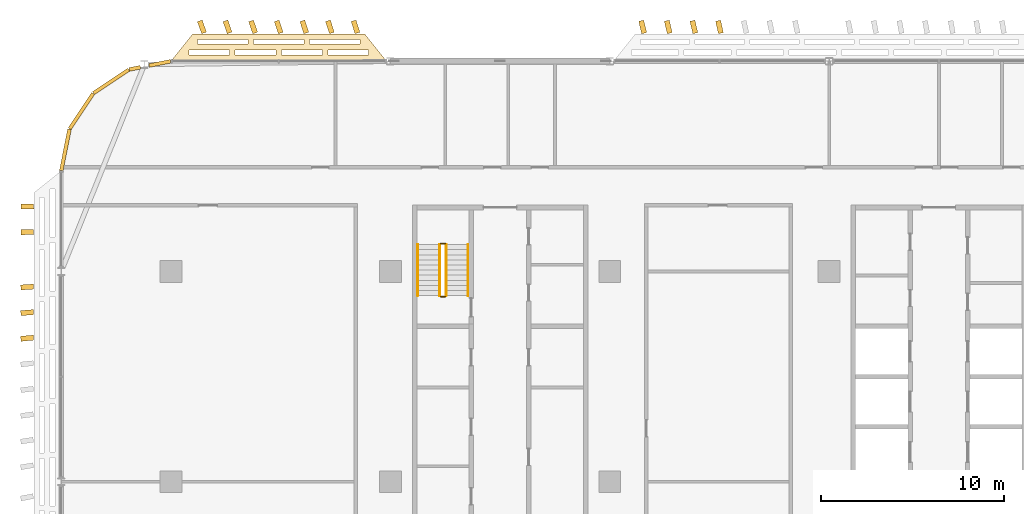
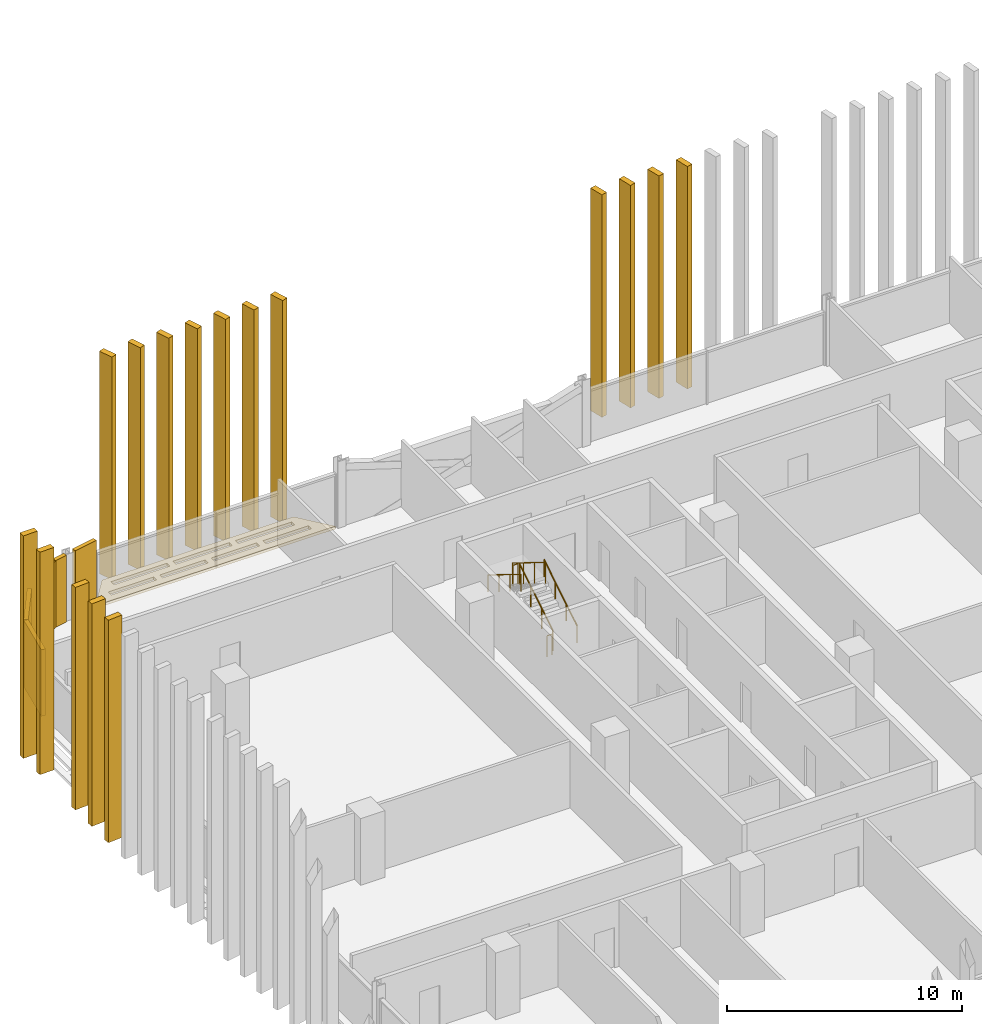
# One storey, part 25 of 28: 22 coverings, 6 railings.
"""IFC4 building model written with IfcOpenShell, lengths in metres."""

import ifcopenshell
import ifcopenshell.guid

model = None  # the IFC model being written
_history = None  # IfcOwnerHistory: only IFC2X3 demands one
_inside = {}  # id of a spatial element -> (the spatial element, [elements in it])
_under = {}  # id of a project, library or spatial element -> (it, [spatial elements below it])
_declared = {}  # id of a project -> (the project, [libraries it declares])
_typed = {}  # id of a type object -> (the type object, [elements of that type])
_made_of = {}  # id of a material, layer set ... -> (it, [elements and type objects made of it])


def new_model(schema):
    """Start an empty IFC model of exactly this schema.

    Asked for "IFC4X3", IfcOpenShell would pick the latest addendum, in which some entities
    have other attributes; the version numbers below select the first issue.
    IFC2X3 requires an IfcOwnerHistory on every rooted entity: one is made here for all.
    """
    global model, _history
    if schema == "IFC4X3":
        model = ifcopenshell.file(schema_version=(4, 3, 0, 0))
    else:
        model = ifcopenshell.file(schema=schema)
    _inside.clear()
    _under.clear()
    _declared.clear()
    _typed.clear()
    _made_of.clear()
    _history = None
    if model.schema == "IFC2X3":
        org = make("IfcOrganization", Name="unknown")
        user = make(
            "IfcPersonAndOrganization",
            ThePerson=make("IfcPerson", FamilyName="unknown"),
            TheOrganization=org,
        )
        app = make(
            "IfcApplication",
            ApplicationDeveloper=org,
            Version="unknown",
            ApplicationFullName="unknown",
            ApplicationIdentifier="unknown",
        )
        _history = make(
            "IfcOwnerHistory",
            OwningUser=user,
            OwningApplication=app,
            ChangeAction="ADDED",
            CreationDate=0,
        )
    return model


def make(cls, **values):
    """One entity of the class cls with the attributes given. An attribute that is None is left unset."""
    return model.create_entity(
        cls, **{name: value for name, value in values.items() if value is not None}
    )


def rooted(cls, **values):
    """An entity with a GlobalId (a new one), such as an element, a storey or a relation."""
    return make(cls, GlobalId=ifcopenshell.guid.new(), OwnerHistory=_history, **values)


def si_unit(unit_type, name, prefix=None):
    """IfcSIUnit, for example si_unit("LENGTHUNIT", "METRE", prefix="MILLI")."""
    return make("IfcSIUnit", UnitType=unit_type, Prefix=prefix, Name=name)


def assignment(units):
    """IfcUnitAssignment: the units of a project."""
    return None if units is None else make("IfcUnitAssignment", Units=units)


def point(xyz):
    """IfcCartesianPoint."""
    return None if xyz is None else make("IfcCartesianPoint", Coordinates=xyz)


def direction(xyz):
    """IfcDirection."""
    return None if xyz is None else make("IfcDirection", DirectionRatios=xyz)


def frame(location, z_axis=None, x_axis=None):
    """IfcAxis2Placement3D, a coordinate frame: its origin and axes. An axis left out is left unset."""
    return make(
        "IfcAxis2Placement3D",
        Location=point(location),
        Axis=direction(z_axis),
        RefDirection=direction(x_axis),
    )


def frame_2d(location, x_axis=None):
    """IfcAxis2Placement2D, a coordinate frame in the plane: its origin and x axis."""
    return make(
        "IfcAxis2Placement2D", Location=point(location), RefDirection=direction(x_axis)
    )


def origin():
    """The frame at (0, 0, 0) with its axes left unset."""
    return frame((0.0, 0.0, 0.0))


def origin_2d():
    """The frame at (0, 0) in the plane with its x axis left unset."""
    return frame_2d((0.0, 0.0))


def place(relative_to, where):
    """IfcLocalPlacement: puts the frame where relative to a parent placement (None: the world)."""
    return make(
        "IfcLocalPlacement", PlacementRelTo=relative_to, RelativePlacement=where
    )


def context(
    kind, dimensions, precision=None, world=None, true_north=None, identifier=None
):
    """IfcGeometricRepresentationContext, for example the 3D "Model" context."""
    return make(
        "IfcGeometricRepresentationContext",
        ContextIdentifier=identifier,
        ContextType=kind,
        CoordinateSpaceDimension=dimensions,
        Precision=precision,
        WorldCoordinateSystem=world,
        TrueNorth=true_north,
    )


def subcontext(parent, identifier, kind, view, scale=None):
    """IfcGeometricRepresentationSubContext, for example "Body" below "Model"."""
    return make(
        "IfcGeometricRepresentationSubContext",
        ContextIdentifier=identifier,
        ContextType=kind,
        ParentContext=parent,
        TargetScale=scale,
        TargetView=view,
    )


def project(units=None, contexts=None):
    """IfcProject with its units and contexts."""
    return rooted(
        "IfcProject",
        Name="project",
        RepresentationContexts=contexts,
        UnitsInContext=assignment(units),
    )


def spatial(cls, under=None, at=None, **own):
    """A site, building, storey or space (cls), placed at a placement, below another one or the project."""
    s = rooted(cls, ObjectPlacement=at, **own)
    if under is not None:
        _under.setdefault(under.id(), (under, []))[1].append(s)
    return s


def polyline(points):
    """IfcPolyline through the points."""
    return make("IfcPolyline", Points=[point(p) for p in points])


def profile(cls, at=None, kind="AREA", **sizes):
    """A parametric profile (cls). Its sizes go by their IFC names, for example OverallWidth=200.0."""
    return make(cls, ProfileType=kind, Position=at, **sizes)


def rectangle(**sizes):
    """IfcRectangleProfileDef."""
    return profile("IfcRectangleProfileDef", **sizes)


def circle(**sizes):
    """IfcCircleProfileDef."""
    return profile("IfcCircleProfileDef", **sizes)


def outline(outer, holes=None, kind="AREA"):
    """IfcArbitraryClosedProfileDef: a profile drawn as a closed curve; with holes, ...WithVoids."""
    if holes is None:
        return make("IfcArbitraryClosedProfileDef", ProfileType=kind, OuterCurve=outer)
    return make(
        "IfcArbitraryProfileDefWithVoids",
        ProfileType=kind,
        OuterCurve=outer,
        InnerCurves=holes,
    )


def extrude(swept, where, along, depth):
    """IfcExtrudedAreaSolid: the profile swept, set in the frame where, extruded along a direction by depth."""
    return make(
        "IfcExtrudedAreaSolid",
        SweptArea=swept,
        Position=where,
        ExtrudedDirection=direction(along),
        Depth=depth,
    )


def shape(context_of_items, identifier, shape_type, items):
    """IfcShapeRepresentation: the items that make up one representation, for example the "Body"."""
    return make(
        "IfcShapeRepresentation",
        ContextOfItems=context_of_items,
        RepresentationIdentifier=identifier,
        RepresentationType=shape_type,
        Items=items,
    )


def material(Name=None, Category=None):
    """IfcMaterial."""
    return make("IfcMaterial", Name=Name, Category=Category)


def layer(
    of_material, thickness, ventilated=None, Name=None, Category=None, Priority=None
):
    """IfcMaterialLayer: one layer of a wall or slab, of a material (None: an air gap)."""
    return make(
        "IfcMaterialLayer",
        Material=of_material,
        LayerThickness=thickness,
        IsVentilated=ventilated,
        Name=Name,
        Category=Category,
        Priority=Priority,
    )


def layer_set(layers, Name=None):
    """IfcMaterialLayerSet."""
    return make("IfcMaterialLayerSet", MaterialLayers=layers, LayerSetName=Name)


def made_of(thing, what):
    """Note that an element or type object is made of a material, layer set ...; save() writes the relation."""
    if what is not None:
        _made_of.setdefault(what.id(), (what, []))[1].append(thing)
    return thing


def type_object(cls, material=None, **own):
    """A type object (cls), such as IfcWallType, which elements share."""
    return made_of(rooted(cls, **own), material)


def element(
    cls,
    number,
    at=None,
    inside=None,
    cuts=None,
    type_object=None,
    material=None,
    context=None,
    identifier="Body",
    shape_type=None,
    held_by="IfcProductDefinitionShape",
    body=None,
    shapes=None,
    **own,
):
    """One element of the class cls, such as IfcWall. Its Tag is "e" and its number.

    at: its placement. inside: the storey or other place that contains it. cuts: it is an
    opening in that element (IfcRelVoidsElement). A single representation is given by context,
    identifier, shape_type and body (its items); several are given by shapes. held_by: the class
    of the entity that holds the representations. save() writes the other relations.
    """
    e = rooted(cls, Tag="e%d" % number, ObjectPlacement=at, **own)
    if body is not None:
        shapes = [shape(context, identifier, shape_type, body)]
    if shapes is not None:
        e.Representation = make(held_by, Representations=shapes)
    if inside is not None:
        _inside.setdefault(inside.id(), (inside, []))[1].append(e)
    if cuts is not None:
        rooted(
            "IfcRelVoidsElement", RelatingBuildingElement=cuts, RelatedOpeningElement=e
        )
    if type_object is not None:
        _typed.setdefault(type_object.id(), (type_object, []))[1].append(e)
    return made_of(e, material)


def aggregate(whole, parts):
    """IfcRelAggregates: a whole, such as a stair, and the parts it consists of."""
    return rooted("IfcRelAggregates", RelatingObject=whole, RelatedObjects=parts)


def save(model, path):
    """Write the relations noted so far, then the file.

    IfcRelAggregates (storeys below a building ...), IfcRelContainedInSpatialStructure (elements
    in a storey), IfcRelDefinesByType, IfcRelAssociatesMaterial and IfcRelDeclares: one each for
    every whole, place, type object, material and project.
    """
    for whole, parts in _under.values():
        aggregate(whole, parts)
    for where, things in _inside.values():
        rooted(
            "IfcRelContainedInSpatialStructure",
            RelatedElements=things,
            RelatingStructure=where,
        )
    for kind, things in _typed.values():
        rooted("IfcRelDefinesByType", RelatedObjects=things, RelatingType=kind)
    for what, things in _made_of.values():
        rooted("IfcRelAssociatesMaterial", RelatedObjects=things, RelatingMaterial=what)
    for by, libraries in _declared.values():
        rooted("IfcRelDeclares", RelatingContext=by, RelatedDefinitions=libraries)
    model.write(path)


model = new_model("IFC4")

# Units and contexts
model_context = context("Model", 3, precision=1e-05, world=origin(), true_north=direction((0.0, 1.0)))
body_context = subcontext(model_context, "Body", "Model", "MODEL_VIEW")
ifc_project = project(units=[si_unit("LENGTHUNIT", "METRE"), si_unit("AREAUNIT", "SQUARE_METRE"), si_unit("VOLUMEUNIT", "CUBIC_METRE"), si_unit("PLANEANGLEUNIT", "RADIAN"), si_unit("MASSUNIT", "GRAM", prefix="KILO")], contexts=[model_context])

# Site, building, storey
site_placement = place(None, origin())
site = spatial("IfcSite", under=ifc_project, at=site_placement, CompositionType="ELEMENT")
building_placement = place(site_placement, origin())
building = spatial("IfcBuilding", under=site, at=building_placement, Name="Mahtab Terrace Research Tower", CompositionType="ELEMENT")
storey_placement = place(building_placement, frame((0.0, 0.0, 174.39990234375)))
storey = spatial("IfcBuildingStorey", under=building, at=storey_placement, Name="L41", CompositionType="ELEMENT", Elevation=174.39990234375)

# Coverings
ifc_material_1 = material(Name="Black aluminium cladding panel", Category="aluminium")
ifc_layer_1 = layer(ifc_material_1, 0.199951171875)
ifc_layer_set_1 = layer_set([ifc_layer_1], Name="Black metal corner cladding 200")
covering_type_1 = type_object("IfcCoveringType", Name="Black metal corner cladding 200", PredefinedType="CLADDING", material=ifc_layer_set_1)
covering_1_placement = place(storey_placement, frame((-42.603271484375, 22.8798828125, 0.0), z_axis=(0.0, 0.0, 1.0), x_axis=(-0.980760981187, -0.195212442692, 0.0)))
element("IfcCovering", 1, at=covering_1_placement, inside=storey, type_object=covering_type_1, Name="Corner cladding L41 10", PredefinedType="CLADDING", context=body_context, shape_type="SweptSolid", body=[
    extrude(rectangle(XDim=1.1904296875, YDim=0.199951171875, at=origin_2d()), origin(), (0.0, 0.0, 1.0), 3.4599609375),
])
covering_2_placement = place(storey_placement, frame((-43.9716796875, 22.607666015625, 0.0), z_axis=(0.0, 0.0, 1.0), x_axis=(-0.980760981187, -0.195212442692, 0.0)))
element("IfcCovering", 2, at=covering_2_placement, inside=storey, type_object=covering_type_1, Name="Corner cladding L41 11", PredefinedType="CLADDING", context=body_context, shape_type="SweptSolid", body=[
    extrude(rectangle(XDim=0.62158203125, YDim=0.199951171875, at=origin_2d()), origin(), (0.0, 0.0, 1.0), 3.4599609375),
])
for number, where, z_axis, x_axis, name in (
    (3, (-45.26953125, 21.89306640625, 0.0), (0.0, 0.0, 1.0), (-0.831655794326, -0.555291490808, 0.0), "Corner cladding L41 12"),
    (4, (-46.89306640625, 20.26953125, 0.0), (0.0, 0.0, 1.0), (-0.555291490808, -0.831655794326, 0.0), "Corner cladding L41 13"),
    (5, (-47.771484375, 18.14794921875, 0.0), (0.0, 0.0, 1.0), (-0.195212442692, -0.980760981187, 0.0), "Corner cladding L41 14"),
):
    element("IfcCovering", number, at=place(storey_placement, frame(where, z_axis=z_axis, x_axis=x_axis)), inside=storey, type_object=covering_type_1, Name=name, PredefinedType="CLADDING", context=body_context, shape_type="SweptSolid", body=[
        extrude(rectangle(XDim=2.30126953125, YDim=0.199951171875, at=origin_2d()), origin(), (0.0, 0.0, 1.0), 3.4599609375),
    ])
ifc_material_2 = material(Name="Black anodised aluminium", Category="aluminium")
ifc_layer_2 = layer(ifc_material_2, 0.14990234375)
ifc_layer_set_2 = layer_set([ifc_layer_2], Name="Horizontal sunshade band")
covering_type_2 = type_object("IfcCoveringType", Name="Horizontal sunshade band", PredefinedType="CLADDING", material=ifc_layer_set_2)
covering_3_placement = place(storey_placement, frame((0.0, 0.0, -0.14990234375)))
element("IfcCovering", 6, at=covering_3_placement, inside=storey, type_object=covering_type_2, Name="Sunshade band L41 9", PredefinedType="CLADDING", context=body_context, shape_type="SweptSolid", body=[
    extrude(outline(polyline([(-30.2080078125, 23.0), (-42.0, 23.0), (-40.800048828125, 24.5), (-31.407958984375, 24.5), (-30.2080078125, 23.0)]), holes=[polyline([(-31.18798828125, 23.35009765625), (-33.4208984375, 23.35009765625), (-33.4208984375, 23.60009765625), (-31.18798828125, 23.60009765625), (-31.18798828125, 23.35009765625)]), polyline([(-33.720947265625, 23.35009765625), (-35.9541015625, 23.35009765625), (-35.9541015625, 23.60009765625), (-33.720947265625, 23.60009765625), (-33.720947265625, 23.35009765625)]), polyline([(-36.25390625, 23.35009765625), (-38.487060546875, 23.35009765625), (-38.487060546875, 23.60009765625), (-36.25390625, 23.60009765625), (-36.25390625, 23.35009765625)]), polyline([(-38.787109375, 23.35009765625), (-41.02001953125, 23.35009765625), (-41.02001953125, 23.60009765625), (-38.787109375, 23.60009765625), (-38.787109375, 23.35009765625)]), polyline([(-31.66796875, 23.949951171875), (-34.425048828125, 23.949951171875), (-34.425048828125, 24.199951171875), (-31.66796875, 24.199951171875), (-31.66796875, 23.949951171875)]), polyline([(-34.72509765625, 23.949951171875), (-37.48291015625, 23.949951171875), (-37.48291015625, 24.199951171875), (-34.72509765625, 24.199951171875), (-34.72509765625, 23.949951171875)]), polyline([(-37.782958984375, 23.949951171875), (-40.5400390625, 23.949951171875), (-40.5400390625, 24.199951171875), (-37.782958984375, 24.199951171875), (-37.782958984375, 23.949951171875)])]), origin(), (0.0, 0.0, 1.0), 0.14990234375),
])

# Railings
ifc_material_3 = material(Name="Stainless steel AISI 304", Category="steel")
railing_type_1 = type_object("IfcRailingType", Name="Stair guard 1100", PredefinedType="GUARDRAIL", material=ifc_material_3)
railing_1_placement = place(storey_placement, frame((-26.949951171875, 10.175048828125, 0.1728515625)))
element("IfcRailing", 7, at=railing_1_placement, inside=storey, type_object=railing_type_1, Name="L41 ST1 stair guard 1", PredefinedType="GUARDRAIL", context=body_context, shape_type="SweptSolid", body=[
    extrude(circle(Radius=0.02392578125, at=origin_2d()), frame((0.0, 0.0, 1.076171875), z_axis=(0.0, 0.851089632645, 0.525020415988), x_axis=(-1.0, 0.0, 0.0)), (0.0, 0.0, 1.0), 3.2900390625),
    extrude(circle(Radius=0.02099609375, at=origin_2d()), origin(), (0.0, 0.0, 1.0), 1.052001953125),
    extrude(circle(Radius=0.02099609375, at=origin_2d()), frame((0.0, 0.933349609375, 0.57568359375)), (0.0, 0.0, 1.0), 1.052001953125),
    extrude(circle(Radius=0.02099609375, at=origin_2d()), frame((0.0, 1.86669921875, 1.151611328125)), (0.0, 0.0, 1.0), 1.052001953125),
    extrude(circle(Radius=0.02099609375, at=origin_2d()), frame((0.0, 2.800048828125, 1.727294921875)), (0.0, 0.0, 1.0), 1.052001953125),
])
railing_2_placement = place(storey_placement, frame((-27.0, 13.02490234375, 1.900146484375)))
element("IfcRailing", 8, at=railing_2_placement, inside=storey, type_object=railing_type_1, Name="L41 ST1 stair guard 2", PredefinedType="GUARDRAIL", context=body_context, shape_type="SweptSolid", body=[
    extrude(circle(Radius=0.02392578125, at=origin_2d()), frame((0.0, 0.0, 1.076171875), z_axis=(-1.0, 0.0, 0.0), x_axis=(0.0, -1.0, 0.0)), (0.0, 0.0, 1.0), 0.25),
    extrude(circle(Radius=0.02099609375, at=origin_2d()), origin(), (0.0, 0.0, 1.0), 1.052001953125),
    extrude(circle(Radius=0.02099609375, at=origin_2d()), frame((-0.25, 0.0, 0.0)), (0.0, 0.0, 1.0), 1.052001953125),
])
railing_3_placement = place(storey_placement, frame((-27.300048828125, 12.97509765625, 2.07275390625)))
element("IfcRailing", 9, at=railing_3_placement, inside=storey, type_object=railing_type_1, Name="L41 ST1 stair guard 3", PredefinedType="GUARDRAIL", context=body_context, shape_type="SweptSolid", body=[
    extrude(circle(Radius=0.02392578125, at=origin_2d()), frame((0.0, 0.0, 1.076171875), z_axis=(0.0, -0.851089632645, 0.525020415988), x_axis=(1.0, 0.0, 0.0)), (0.0, 0.0, 1.0), 3.2900390625),
    extrude(circle(Radius=0.02099609375, at=origin_2d()), origin(), (0.0, 0.0, 1.0), 1.052001953125),
    extrude(circle(Radius=0.02099609375, at=origin_2d()), frame((0.0, -0.933349609375, 0.57568359375)), (0.0, 0.0, 1.0), 1.052001953125),
    extrude(circle(Radius=0.02099609375, at=origin_2d()), frame((0.0, -1.86669921875, 1.151611328125)), (0.0, 0.0, 1.0), 1.052001953125),
    extrude(circle(Radius=0.02099609375, at=origin_2d()), frame((0.0, -2.800048828125, 1.727294921875)), (0.0, 0.0, 1.0), 1.052001953125),
])
railing_4_placement = place(storey_placement, frame((-27.0, 10.125, 0.0)))
element("IfcRailing", 10, at=railing_4_placement, inside=storey, type_object=railing_type_1, Name="L41 ST1 stair guard 4", PredefinedType="GUARDRAIL", context=body_context, shape_type="SweptSolid", body=[
    extrude(circle(Radius=0.02392578125, at=origin_2d()), frame((0.0, 0.0, 1.076171875), z_axis=(-1.0, 0.0, 0.0), x_axis=(0.0, -1.0, 0.0)), (0.0, 0.0, 1.0), 0.25),
    extrude(circle(Radius=0.02099609375, at=origin_2d()), origin(), (0.0, 0.0, 1.0), 1.052001953125),
    extrude(circle(Radius=0.02099609375, at=origin_2d()), frame((-0.25, 0.0, 0.0)), (0.0, 0.0, 1.0), 1.052001953125),
])
railing_type_2 = type_object("IfcRailingType", Name="Stair handrail 900", PredefinedType="HANDRAIL", material=ifc_material_3)
railing_5_placement = place(storey_placement, frame((-25.75, 10.175048828125, 0.1728515625)))
element("IfcRailing", 11, at=railing_5_placement, inside=storey, type_object=railing_type_2, Name="L41 ST1 stair handrail 1", PredefinedType="HANDRAIL", context=body_context, shape_type="SweptSolid", body=[
    extrude(circle(Radius=0.02392578125, at=origin_2d()), frame((0.0, 0.0, 0.8759765625), z_axis=(0.0, 0.851089632645, 0.525020415988), x_axis=(-1.0, 0.0, 0.0)), (0.0, 0.0, 1.0), 3.2900390625),
    extrude(circle(Radius=0.02099609375, at=origin_2d()), origin(), (0.0, 0.0, 1.0), 0.851806640625),
    extrude(circle(Radius=0.02099609375, at=origin_2d()), frame((0.0, 0.933349609375, 0.57568359375)), (0.0, 0.0, 1.0), 0.851806640625),
    extrude(circle(Radius=0.02099609375, at=origin_2d()), frame((0.0, 1.86669921875, 1.151611328125)), (0.0, 0.0, 1.0), 0.851806640625),
    extrude(circle(Radius=0.02099609375, at=origin_2d()), frame((0.0, 2.800048828125, 1.727294921875)), (0.0, 0.0, 1.0), 0.851806640625),
])
railing_6_placement = place(storey_placement, frame((-28.5, 12.97509765625, 2.07275390625)))
element("IfcRailing", 12, at=railing_6_placement, inside=storey, type_object=railing_type_2, Name="L41 ST1 stair handrail 2", PredefinedType="HANDRAIL", context=body_context, shape_type="SweptSolid", body=[
    extrude(circle(Radius=0.02392578125, at=origin_2d()), frame((0.0, 0.0, 0.8759765625), z_axis=(0.0, -0.851089632645, 0.525020415988), x_axis=(1.0, 0.0, 0.0)), (0.0, 0.0, 1.0), 3.2900390625),
    extrude(circle(Radius=0.02099609375, at=origin_2d()), origin(), (0.0, 0.0, 1.0), 0.851806640625),
    extrude(circle(Radius=0.02099609375, at=origin_2d()), frame((0.0, -0.933349609375, 0.57568359375)), (0.0, 0.0, 1.0), 0.851806640625),
    extrude(circle(Radius=0.02099609375, at=origin_2d()), frame((0.0, -1.86669921875, 1.151611328125)), (0.0, 0.0, 1.0), 0.851806640625),
    extrude(circle(Radius=0.02099609375, at=origin_2d()), frame((0.0, -2.800048828125, 1.727294921875)), (0.0, 0.0, 1.0), 0.851806640625),
])

# Coverings
ifc_material_4 = material(Name="Bronze anodised aluminium", Category="aluminium")
ifc_layer_3 = layer(ifc_material_4, 0.1201171875)
ifc_layer_set_3 = layer_set([ifc_layer_3], Name="Vertical fin 700")
covering_type_3 = type_object("IfcCoveringType", Name="Vertical fin 700", PredefinedType="CLADDING", material=ifc_layer_set_3)
for number, where, z_axis, x_axis, name in (
    (13, (-12.0, 24.872314453125, -0.14990234375), (0.0, 0.0, 1.0), (-0.974927912182, -0.222520933954, 0.0), "Fin L41 N4"),
    (14, (-13.39990234375, 24.872802734375, -0.14990234375), (0.0, 0.0, 1.0), (-0.973616846325, -0.228189036878, 0.0), "Fin L41 N5"),
    (15, (-14.800048828125, 24.873046875, -0.14990234375), (0.0, 0.0, 1.0), (-0.972272827152, -0.233849416469, 0.0), "Fin L41 N6"),
    (16, (-16.199951171875, 24.873291015625, -0.14990234375), (0.0, 0.0, 1.0), (-0.970895900159, -0.239501881108, 0.0), "Fin L41 N7"),
    (17, (-31.904052734375, 24.8759765625, -0.14990234375), (0.0, 0.0, 1.0), (-0.953210769878, -0.302306513639, 0.0), "Fin L41 N1"),
    (18, (-33.303955078125, 24.876220703125, -0.14990234375), (0.0, 0.0, 1.0), (-0.95143590047, -0.307846921858, 0.0), "Fin L41 N2"),
    (19, (-34.7041015625, 24.876220703125, -0.14990234375), (0.0, 0.0, 1.0), (-0.949628828497, -0.313376910585, 0.0), "Fin L41 N3"),
    (20, (-36.10400390625, 24.87646484375, -0.14990234375), (0.0, 0.0, 1.0), (-0.947789615116, -0.318896292669, 0.0), "Fin L41 N4"),
    (21, (-37.50390625, 24.87646484375, -0.14990234375), (0.0, 0.0, 1.0), (-0.945918322573, -0.324404881314, 0.0), "Fin L41 N5"),
    (22, (-38.904052734375, 24.876708984375, -0.14990234375), (0.0, 0.0, 1.0), (-0.944015014215, -0.329902490043, 0.0), "Fin L41 N6"),
    (23, (-40.303955078125, 24.876708984375, -0.14990234375), (0.0, 0.0, 1.0), (-0.942079754456, -0.335388932799, 0.0), "Fin L41 N7"),
    (24, (-49.852783203125, 15.053955078125, -0.14990234375), (0.0, 0.0, 1.0), (0.019977557519, -0.999800428683, 0.0), "Fin L41 W1"),
    (25, (-49.8544921875, 13.654052734375, -0.14990234375), (0.0, 0.0, 1.0), (0.034345430387, -0.999410021669, 0.0), "Fin L41 W2"),
    (26, (-49.8583984375, 10.64990234375, -0.14990234375), (0.0, 0.0, 1.0), (0.06514701056, -0.997875677134, 0.0), "Fin L41 W1"),
    (27, (-49.860107421875, 9.25, -0.14990234375), (0.0, 0.0, 1.0), (0.079482553594, -0.996836257203, 0.0), "Fin L41 W2"),
    (28, (-49.861572265625, 7.85009765625, -0.14990234375), (0.0, 0.0, 1.0), (0.093801676489, -0.995590902674, 0.0), "Fin L41 W3"),
):
    element("IfcCovering", number, at=place(storey_placement, frame(where, z_axis=z_axis, x_axis=x_axis)), inside=storey, type_object=covering_type_3, Name=name, PredefinedType="CLADDING", context=body_context, shape_type="SweptSolid", body=[
        extrude(rectangle(XDim=0.280029296875, YDim=0.699951171875, at=origin_2d()), origin(), (0.0, 0.0, 1.0), 11.550048828125),
    ])

save(model, "model.ifc")
